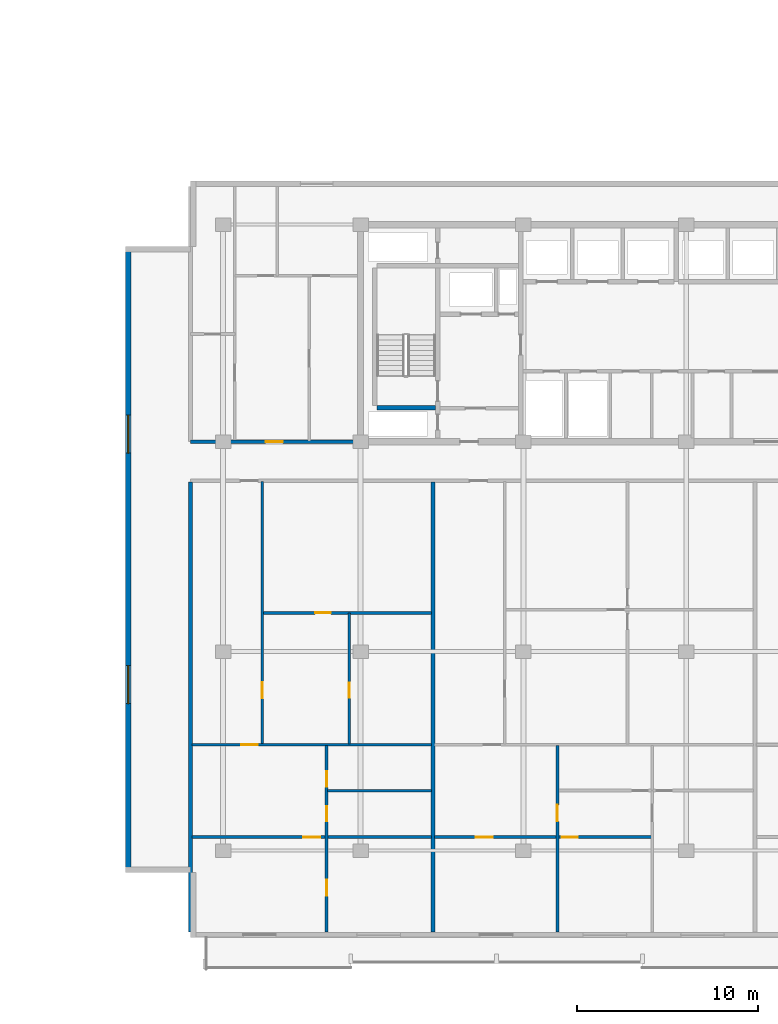
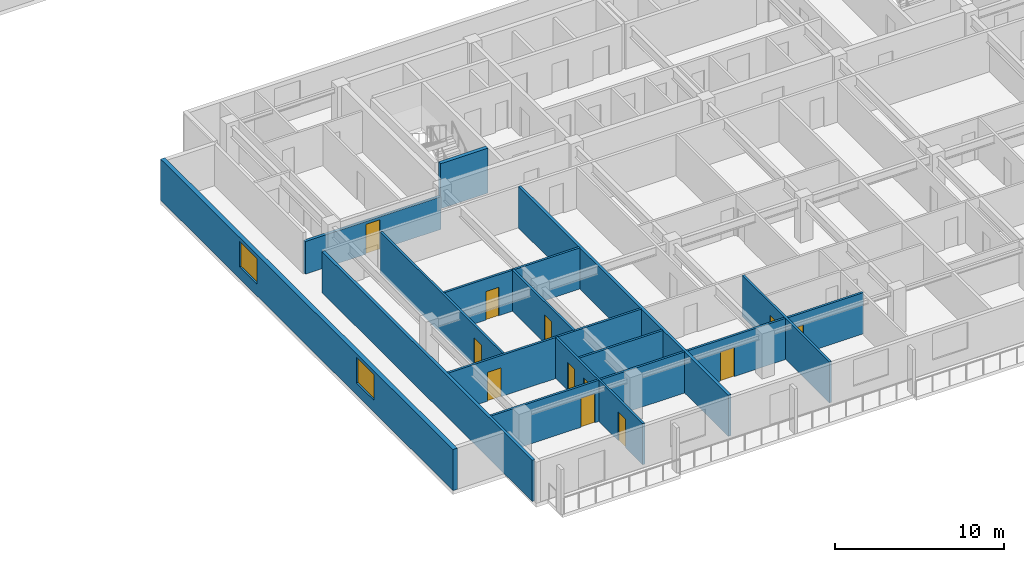
# One storey, part 4 of 22: 14 walls, 12 doors, 2 windows, 14 openings.
"""IFC4 building model written with IfcOpenShell, lengths in metres."""

import ifcopenshell
import ifcopenshell.guid

model = None  # the IFC model being written
_history = None  # IfcOwnerHistory: only IFC2X3 demands one
_inside = {}  # id of a spatial element -> (the spatial element, [elements in it])
_under = {}  # id of a project, library or spatial element -> (it, [spatial elements below it])
_declared = {}  # id of a project -> (the project, [libraries it declares])
_typed = {}  # id of a type object -> (the type object, [elements of that type])
_made_of = {}  # id of a material, layer set ... -> (it, [elements and type objects made of it])


def new_model(schema):
    """Start an empty IFC model of exactly this schema.

    Asked for "IFC4X3", IfcOpenShell would pick the latest addendum, in which some entities
    have other attributes; the version numbers below select the first issue.
    IFC2X3 requires an IfcOwnerHistory on every rooted entity: one is made here for all.
    """
    global model, _history
    if schema == "IFC4X3":
        model = ifcopenshell.file(schema_version=(4, 3, 0, 0))
    else:
        model = ifcopenshell.file(schema=schema)
    _inside.clear()
    _under.clear()
    _declared.clear()
    _typed.clear()
    _made_of.clear()
    _history = None
    if model.schema == "IFC2X3":
        org = make("IfcOrganization", Name="unknown")
        user = make(
            "IfcPersonAndOrganization",
            ThePerson=make("IfcPerson", FamilyName="unknown"),
            TheOrganization=org,
        )
        app = make(
            "IfcApplication",
            ApplicationDeveloper=org,
            Version="unknown",
            ApplicationFullName="unknown",
            ApplicationIdentifier="unknown",
        )
        _history = make(
            "IfcOwnerHistory",
            OwningUser=user,
            OwningApplication=app,
            ChangeAction="ADDED",
            CreationDate=0,
        )
    return model


def make(cls, **values):
    """One entity of the class cls with the attributes given. An attribute that is None is left unset."""
    return model.create_entity(
        cls, **{name: value for name, value in values.items() if value is not None}
    )


def rooted(cls, **values):
    """An entity with a GlobalId (a new one), such as an element, a storey or a relation."""
    return make(cls, GlobalId=ifcopenshell.guid.new(), OwnerHistory=_history, **values)


def si_unit(unit_type, name, prefix=None):
    """IfcSIUnit, for example si_unit("LENGTHUNIT", "METRE", prefix="MILLI")."""
    return make("IfcSIUnit", UnitType=unit_type, Prefix=prefix, Name=name)


def assignment(units):
    """IfcUnitAssignment: the units of a project."""
    return None if units is None else make("IfcUnitAssignment", Units=units)


def point(xyz):
    """IfcCartesianPoint."""
    return None if xyz is None else make("IfcCartesianPoint", Coordinates=xyz)


def direction(xyz):
    """IfcDirection."""
    return None if xyz is None else make("IfcDirection", DirectionRatios=xyz)


def frame(location, z_axis=None, x_axis=None):
    """IfcAxis2Placement3D, a coordinate frame: its origin and axes. An axis left out is left unset."""
    return make(
        "IfcAxis2Placement3D",
        Location=point(location),
        Axis=direction(z_axis),
        RefDirection=direction(x_axis),
    )


def frame_2d(location, x_axis=None):
    """IfcAxis2Placement2D, a coordinate frame in the plane: its origin and x axis."""
    return make(
        "IfcAxis2Placement2D", Location=point(location), RefDirection=direction(x_axis)
    )


def origin():
    """The frame at (0, 0, 0) with its axes left unset."""
    return frame((0.0, 0.0, 0.0))


def place(relative_to, where):
    """IfcLocalPlacement: puts the frame where relative to a parent placement (None: the world)."""
    return make(
        "IfcLocalPlacement", PlacementRelTo=relative_to, RelativePlacement=where
    )


def context(
    kind, dimensions, precision=None, world=None, true_north=None, identifier=None
):
    """IfcGeometricRepresentationContext, for example the 3D "Model" context."""
    return make(
        "IfcGeometricRepresentationContext",
        ContextIdentifier=identifier,
        ContextType=kind,
        CoordinateSpaceDimension=dimensions,
        Precision=precision,
        WorldCoordinateSystem=world,
        TrueNorth=true_north,
    )


def subcontext(parent, identifier, kind, view, scale=None):
    """IfcGeometricRepresentationSubContext, for example "Body" below "Model"."""
    return make(
        "IfcGeometricRepresentationSubContext",
        ContextIdentifier=identifier,
        ContextType=kind,
        ParentContext=parent,
        TargetScale=scale,
        TargetView=view,
    )


def project(units=None, contexts=None):
    """IfcProject with its units and contexts."""
    return rooted(
        "IfcProject",
        Name="project",
        RepresentationContexts=contexts,
        UnitsInContext=assignment(units),
    )


def spatial(cls, under=None, at=None, **own):
    """A site, building, storey or space (cls), placed at a placement, below another one or the project."""
    s = rooted(cls, ObjectPlacement=at, **own)
    if under is not None:
        _under.setdefault(under.id(), (under, []))[1].append(s)
    return s


def profile(cls, at=None, kind="AREA", **sizes):
    """A parametric profile (cls). Its sizes go by their IFC names, for example OverallWidth=200.0."""
    return make(cls, ProfileType=kind, Position=at, **sizes)


def rectangle(**sizes):
    """IfcRectangleProfileDef."""
    return profile("IfcRectangleProfileDef", **sizes)


def extrude(swept, where, along, depth):
    """IfcExtrudedAreaSolid: the profile swept, set in the frame where, extruded along a direction by depth."""
    return make(
        "IfcExtrudedAreaSolid",
        SweptArea=swept,
        Position=where,
        ExtrudedDirection=direction(along),
        Depth=depth,
    )


def shape(context_of_items, identifier, shape_type, items):
    """IfcShapeRepresentation: the items that make up one representation, for example the "Body"."""
    return make(
        "IfcShapeRepresentation",
        ContextOfItems=context_of_items,
        RepresentationIdentifier=identifier,
        RepresentationType=shape_type,
        Items=items,
    )


def material(Name=None, Category=None):
    """IfcMaterial."""
    return make("IfcMaterial", Name=Name, Category=Category)


def layer(
    of_material, thickness, ventilated=None, Name=None, Category=None, Priority=None
):
    """IfcMaterialLayer: one layer of a wall or slab, of a material (None: an air gap)."""
    return make(
        "IfcMaterialLayer",
        Material=of_material,
        LayerThickness=thickness,
        IsVentilated=ventilated,
        Name=Name,
        Category=Category,
        Priority=Priority,
    )


def layer_set(layers, Name=None):
    """IfcMaterialLayerSet."""
    return make("IfcMaterialLayerSet", MaterialLayers=layers, LayerSetName=Name)


def made_of(thing, what):
    """Note that an element or type object is made of a material, layer set ...; save() writes the relation."""
    if what is not None:
        _made_of.setdefault(what.id(), (what, []))[1].append(thing)
    return thing


def type_object(cls, material=None, **own):
    """A type object (cls), such as IfcWallType, which elements share."""
    return made_of(rooted(cls, **own), material)


def element(
    cls,
    number,
    at=None,
    inside=None,
    cuts=None,
    type_object=None,
    material=None,
    context=None,
    identifier="Body",
    shape_type=None,
    held_by="IfcProductDefinitionShape",
    body=None,
    shapes=None,
    **own,
):
    """One element of the class cls, such as IfcWall. Its Tag is "e" and its number.

    at: its placement. inside: the storey or other place that contains it. cuts: it is an
    opening in that element (IfcRelVoidsElement). A single representation is given by context,
    identifier, shape_type and body (its items); several are given by shapes. held_by: the class
    of the entity that holds the representations. save() writes the other relations.
    """
    e = rooted(cls, Tag="e%d" % number, ObjectPlacement=at, **own)
    if body is not None:
        shapes = [shape(context, identifier, shape_type, body)]
    if shapes is not None:
        e.Representation = make(held_by, Representations=shapes)
    if inside is not None:
        _inside.setdefault(inside.id(), (inside, []))[1].append(e)
    if cuts is not None:
        rooted(
            "IfcRelVoidsElement", RelatingBuildingElement=cuts, RelatedOpeningElement=e
        )
    if type_object is not None:
        _typed.setdefault(type_object.id(), (type_object, []))[1].append(e)
    return made_of(e, material)


def fill(opening, filler):
    """IfcRelFillsElement: the door or window that sits in an opening."""
    return rooted(
        "IfcRelFillsElement",
        RelatingOpeningElement=opening,
        RelatedBuildingElement=filler,
    )


def aggregate(whole, parts):
    """IfcRelAggregates: a whole, such as a stair, and the parts it consists of."""
    return rooted("IfcRelAggregates", RelatingObject=whole, RelatedObjects=parts)


def save(model, path):
    """Write the relations noted so far, then the file.

    IfcRelAggregates (storeys below a building ...), IfcRelContainedInSpatialStructure (elements
    in a storey), IfcRelDefinesByType, IfcRelAssociatesMaterial and IfcRelDeclares: one each for
    every whole, place, type object, material and project.
    """
    for whole, parts in _under.values():
        aggregate(whole, parts)
    for where, things in _inside.values():
        rooted(
            "IfcRelContainedInSpatialStructure",
            RelatedElements=things,
            RelatingStructure=where,
        )
    for kind, things in _typed.values():
        rooted("IfcRelDefinesByType", RelatedObjects=things, RelatingType=kind)
    for what, things in _made_of.values():
        rooted("IfcRelAssociatesMaterial", RelatedObjects=things, RelatingMaterial=what)
    for by, libraries in _declared.values():
        rooted("IfcRelDeclares", RelatingContext=by, RelatedDefinitions=libraries)
    model.write(path)


model = new_model("IFC4")

# Units and contexts
model_context = context("Model", 3, precision=1e-05, world=origin(), true_north=direction((0.0, 1.0)))
body_context = subcontext(model_context, "Body", "Model", "MODEL_VIEW")
ifc_project = project(units=[si_unit("LENGTHUNIT", "METRE"), si_unit("AREAUNIT", "SQUARE_METRE"), si_unit("VOLUMEUNIT", "CUBIC_METRE"), si_unit("PLANEANGLEUNIT", "RADIAN"), si_unit("MASSUNIT", "GRAM", prefix="KILO")], contexts=[model_context])

# Site, building, storey
site_placement = place(None, origin())
site = spatial("IfcSite", under=ifc_project, at=site_placement, CompositionType="ELEMENT")
building_placement = place(site_placement, origin())
building = spatial("IfcBuilding", under=site, at=building_placement, Name="Korimba Cascade Residences", CompositionType="ELEMENT")
storey_placement = place(building_placement, frame((0.0, 0.0, 87.300048828125)))
storey = spatial("IfcBuildingStorey", under=building, at=storey_placement, Name="L24", CompositionType="ELEMENT", Elevation=87.300048828125)

# Wall, openings, windows
ifc_material_1 = material(Name="Precast concrete C40/50", Category="concrete")
ifc_layer_1 = layer(ifc_material_1, 0.300048828125)
ifc_layer_set_1 = layer_set([ifc_layer_1], Name="Precast concrete C40/50")
wall_type_1 = type_object("IfcWallType", Name="EW-STONE-300", PredefinedType="STANDARD", material=ifc_layer_set_1)
wall_1_placement = place(storey_placement, frame((69.25, 29.199951171875, 0.0), z_axis=(0.0, 0.0, 1.0), x_axis=(0.0, -1.0, 0.0)))
wall_1 = element("IfcWall", 1, at=wall_1_placement, inside=storey, type_object=wall_type_1, Name="L24 T2 Perimeter Stone Wall E09", PredefinedType="STANDARD", context=body_context, shape_type="SweptSolid", body=[
    extrude(rectangle(XDim=34.599853515625, YDim=0.300048828125, at=frame_2d((17.2998046875, 0.0))), origin(), (0.0, 0.0, 1.0), 2.969970703125),
])
opening_1_placement = place(wall_1_placement, frame((9.330078125, 0.0, 0.85009765625)))
opening_1 = element("IfcOpeningElement", 2, at=opening_1_placement, cuts=wall_1, Name="Opening W-03", PredefinedType="OPENING", context=body_context, shape_type="SweptSolid", body=[
    extrude(rectangle(XDim=2.10009765625, YDim=1.85009765625, at=frame_2d((1.050048828125, 0.925048828125))), frame((0.0, 0.16015625, 0.0), z_axis=(0.0, -1.0, 0.0), x_axis=(1.0, 0.0, 0.0)), (0.0, 0.0, 1.0), 0.320068359375),
])
opening_2_placement = place(wall_1_placement, frame((23.169921875, 0.0, 0.85009765625)))
opening_2 = element("IfcOpeningElement", 3, at=opening_2_placement, cuts=wall_1, Name="Opening W-03", PredefinedType="OPENING", context=body_context, shape_type="SweptSolid", body=[
    extrude(rectangle(XDim=2.10009765625, YDim=1.85009765625, at=frame_2d((1.050048828125, 0.925048828125))), frame((0.0, 0.16015625, 0.0), z_axis=(0.0, -1.0, 0.0), x_axis=(1.0, 0.0, 0.0)), (0.0, 0.0, 1.0), 0.320068359375),
])
ifc_material_2 = material(Name="Double-Glazed Aluminium Window", Category="aluminium")
window_type = type_object("IfcWindowType", Name="WIN-CRN-2100", PartitioningType="DOUBLE_PANEL_HORIZONTAL", PredefinedType="WINDOW", material=ifc_material_2)
window_1_placement = place(opening_1_placement, origin())
window_1 = element("IfcWindow", 4, at=window_1_placement, inside=storey, type_object=window_type, Name="L24 T2 End View Window 9.1", OverallHeight=1.85009765625, OverallWidth=2.10009765625, PartitioningType="DOUBLE_PANEL_HORIZONTAL", PredefinedType="WINDOW", context=body_context, shape_type="SweptSolid", body=[
    extrude(rectangle(XDim=2.10009765625, YDim=1.85009765625, at=frame_2d((1.050048828125, 0.925048828125))), frame((0.0, 0.030029296875, 0.0), z_axis=(0.0, -1.0, 0.0), x_axis=(1.0, 0.0, 0.0)), (0.0, 0.0, 1.0), 0.06005859375),
])
fill(opening_1, window_1)
window_2_placement = place(opening_2_placement, origin())
window_2 = element("IfcWindow", 5, at=window_2_placement, inside=storey, type_object=window_type, Name="L24 T2 End View Window 9.2", OverallHeight=1.85009765625, OverallWidth=2.10009765625, PartitioningType="DOUBLE_PANEL_HORIZONTAL", PredefinedType="WINDOW", context=body_context, shape_type="SweptSolid", body=[
    extrude(rectangle(XDim=2.10009765625, YDim=1.85009765625, at=frame_2d((1.050048828125, 0.925048828125))), frame((0.0, 0.030029296875, 0.0), z_axis=(0.0, -1.0, 0.0), x_axis=(1.0, 0.0, 0.0)), (0.0, 0.0, 1.0), 0.06005859375),
])
fill(opening_2, window_2)

# Wall, opening, door
ifc_layer_2 = layer(ifc_material_1, 0.199951171875)
ifc_layer_set_2 = layer_set([ifc_layer_2], Name="Precast concrete C40/50")
wall_type_2 = type_object("IfcWallType", Name="WAL-IT-200", PredefinedType="PARTITIONING", material=ifc_layer_set_2)
wall_2_placement = place(storey_placement, frame((72.699951171875, 18.39990234375, 0.0), z_axis=(0.0, 0.0, 1.0), x_axis=(1.0, 0.0, 0.0)))
wall_2 = element("IfcWall", 6, at=wall_2_placement, inside=storey, type_object=wall_type_2, Name="L24 Partition Wall WAL-L24-T2-FW-S", PredefinedType="PARTITIONING", context=body_context, shape_type="SweptSolid", body=[
    extrude(rectangle(XDim=9.25, YDim=0.199951171875, at=frame_2d((4.625, 0.0))), origin(), (0.0, 0.0, 1.0), 2.357666015625),
])
opening_3_placement = place(wall_2_placement, frame((4.14990234375, 0.0, 0.0)))
opening_3 = element("IfcOpeningElement", 7, at=opening_3_placement, cuts=wall_2, Name="Opening D-UN1", PredefinedType="OPENING", context=body_context, shape_type="SweptSolid", body=[
    extrude(rectangle(XDim=0.949951171875, YDim=2.14990234375, at=frame_2d((0.47509765625, 1.074951171875))), frame((0.0, 0.10986328125, 0.0), z_axis=(0.0, -1.0, 0.0), x_axis=(1.0, 0.0, 0.0)), (0.0, 0.0, 1.0), 0.219970703125),
])
ifc_material_3 = material(Name="Fire-Rated Hardwood Apartment Entrance Door", Category="wood")
door_type_1 = type_object("IfcDoorType", Name="DR-FD60-950", OperationType="NOTDEFINED", PredefinedType="DOOR", material=ifc_material_3)
door_1_placement = place(opening_3_placement, origin())
door_1 = element("IfcDoor", 8, at=door_1_placement, inside=storey, type_object=door_type_1, Name="L24-T2-FW Entrance Door", OperationType="SINGLE_SWING_RIGHT", OverallHeight=2.14990234375, OverallWidth=0.949951171875, PredefinedType="DOOR", context=body_context, shape_type="SweptSolid", body=[
    extrude(rectangle(XDim=0.949951171875, YDim=2.14990234375, at=frame_2d((0.47509765625, 1.074951171875))), frame((0.0, 0.02490234375, 0.0), z_axis=(0.0, -1.0, 0.0), x_axis=(1.0, 0.0, 0.0)), (0.0, 0.0, 1.0), 0.050048828125),
])
fill(opening_3, door_1)

# Walls
for number, where, z_axis, x_axis, name in (
    (9, (72.699951171875, -8.699951171875, 0.0), (0.0, 0.0, 1.0), (0.0, 1.0, 0.0), "L24 Partition Wall WAL-L24-T2-BNDWL"),
    (10, (86.10009765625, -8.699951171875, 0.0), (0.0, 0.0, 1.0), (0.0, 1.0, 0.0), "L24 Partition Wall WAL-L24-T2-DEM-1"),
):
    element("IfcWall", number, at=place(storey_placement, frame(where, z_axis=z_axis, x_axis=x_axis)), inside=storey, type_object=wall_type_2, Name=name, PredefinedType="PARTITIONING", context=body_context, shape_type="SweptSolid", body=[
        extrude(rectangle(XDim=24.869873046875, YDim=0.199951171875, at=frame_2d((12.43505859375, 0.0))), origin(), (0.0, 0.0, 1.0), 2.969970703125),
    ])

# Wall, opening, door
ifc_material_4 = material(Name="Insulated Acoustic Stud Partition", Category="gypsum")
ifc_layer_3 = layer(ifc_material_4, 0.14990234375)
ifc_layer_set_3 = layer_set([ifc_layer_3], Name="Insulated Acoustic Stud Partition")
wall_type_3 = type_object("IfcWallType", Name="WAL-PART-150", PredefinedType="PARTITIONING", material=ifc_layer_set_3)
wall_3_placement = place(storey_placement, frame((81.47509765625, 1.68994140625, 0.0), z_axis=(0.0, 0.0, 1.0), x_axis=(0.0, 1.0, 0.0)))
wall_3 = element("IfcWall", 11, at=wall_3_placement, inside=storey, type_object=wall_type_3, Name="L24 Partition Wall WAL-L24-T2-U01-FMV", PredefinedType="PARTITIONING", context=body_context, shape_type="SweptSolid", body=[
    extrude(rectangle(XDim=7.25, YDim=0.14990234375, at=frame_2d((3.625, 0.0))), origin(), (0.0, 0.0, 1.0), 2.969970703125),
])
opening_4_placement = place(wall_3_placement, frame((2.557861328125, 0.0, 0.0)))
opening_4 = element("IfcOpeningElement", 12, at=opening_4_placement, cuts=wall_3, Name="Opening D-BT1", PredefinedType="OPENING", context=body_context, shape_type="SweptSolid", body=[
    extrude(rectangle(XDim=0.840087890625, YDim=2.0400390625, at=frame_2d((0.419921875, 1.02001953125))), frame((0.0, 0.0849609375, 0.0), z_axis=(0.0, -1.0, 0.0), x_axis=(1.0, 0.0, 0.0)), (0.0, 0.0, 1.0), 0.169921875),
])
ifc_material_5 = material(Name="Moisture-Resistant Bathroom Timber Door", Category="wood")
door_type_2 = type_object("IfcDoorType", Name="DR-INT-850", OperationType="NOTDEFINED", PredefinedType="DOOR", material=ifc_material_5)
door_2_placement = place(opening_4_placement, origin())
door_2 = element("IfcDoor", 13, at=door_2_placement, inside=storey, type_object=door_type_2, Name="L24-T2-U01 Wardrobe Door", OperationType="SINGLE_SWING_LEFT", OverallHeight=2.0400390625, OverallWidth=0.840087890625, PredefinedType="DOOR", context=body_context, shape_type="SweptSolid", body=[
    extrude(rectangle(XDim=0.840087890625, YDim=2.0400390625, at=frame_2d((0.419921875, 1.02001953125))), frame((0.0, 0.02490234375, 0.0), z_axis=(0.0, -1.0, 0.0), x_axis=(1.0, 0.0, 0.0)), (0.0, 0.0, 1.0), 0.050048828125),
])
fill(opening_4, door_2)

wall_4_placement = place(storey_placement, frame((76.72998046875, 8.93994140625, 0.0), z_axis=(0.0, 0.0, 1.0), x_axis=(1.0, 0.0, 0.0)))
wall_4 = element("IfcWall", 14, at=wall_4_placement, inside=storey, type_object=wall_type_3, Name="L24 Partition Wall WAL-L24-T2-U01-FMH", PredefinedType="PARTITIONING", context=body_context, shape_type="SweptSolid", body=[
    extrude(rectangle(XDim=9.2900390625, YDim=0.14990234375, at=frame_2d((4.64501953125, 0.0))), origin(), (0.0, 0.0, 1.0), 2.969970703125),
])
opening_5_placement = place(wall_4_placement, frame((2.854248046875, 0.0, 0.0)))
opening_5 = element("IfcOpeningElement", 15, at=opening_5_placement, cuts=wall_4, Name="Opening D-IN2", PredefinedType="OPENING", context=body_context, shape_type="SweptSolid", body=[
    extrude(rectangle(XDim=0.8798828125, YDim=2.06005859375, at=frame_2d((0.43994140625, 1.030029296875))), frame((0.0, 0.0849609375, 0.0), z_axis=(0.0, -1.0, 0.0), x_axis=(1.0, 0.0, 0.0)), (0.0, 0.0, 1.0), 0.169921875),
])
ifc_material_6 = material(Name="Acoustic Timber Bedroom Door", Category="wood")
door_type_3 = type_object("IfcDoorType", Name="DR-INT-880", OperationType="NOTDEFINED", PredefinedType="DOOR", material=ifc_material_6)
door_3_placement = place(opening_5_placement, origin())
door_3 = element("IfcDoor", 16, at=door_3_placement, inside=storey, type_object=door_type_3, Name="L24-T2-U01 Library Salon Door", OperationType="SINGLE_SWING_RIGHT", OverallHeight=2.06005859375, OverallWidth=0.8798828125, PredefinedType="DOOR", context=body_context, shape_type="SweptSolid", body=[
    extrude(rectangle(XDim=0.8798828125, YDim=2.06005859375, at=frame_2d((0.43994140625, 1.030029296875))), frame((0.0, 0.02490234375, 0.0), z_axis=(0.0, -1.0, 0.0), x_axis=(1.0, 0.0, 0.0)), (0.0, 0.0, 1.0), 0.050048828125),
])
fill(opening_5, door_3)

wall_5_placement = place(storey_placement, frame((76.669921875, 1.68994140625, 0.0), z_axis=(0.0, 0.0, 1.0), x_axis=(0.0, 1.0, 0.0)))
wall_5 = element("IfcWall", 17, at=wall_5_placement, inside=storey, type_object=wall_type_3, Name="L24 Partition Wall WAL-L24-T2-U01-FV", PredefinedType="PARTITIONING", context=body_context, shape_type="SweptSolid", body=[
    extrude(rectangle(XDim=14.5, YDim=0.14990234375, at=frame_2d((7.25, 0.0))), origin(), (0.0, 0.0, 1.0), 2.969970703125),
])
opening_6_placement = place(wall_5_placement, frame((2.54248046875, 0.0, 0.0)))
opening_6 = element("IfcOpeningElement", 18, at=opening_6_placement, cuts=wall_5, Name="Opening D-IN2", PredefinedType="OPENING", context=body_context, shape_type="SweptSolid", body=[
    extrude(rectangle(XDim=0.8798828125, YDim=2.06005859375, at=frame_2d((0.43994140625, 1.030029296875))), frame((0.0, 0.0849609375, 0.0), z_axis=(0.0, -1.0, 0.0), x_axis=(1.0, 0.0, 0.0)), (0.0, 0.0, 1.0), 0.169921875),
])
door_4_placement = place(opening_6_placement, origin())
door_4 = element("IfcDoor", 19, at=door_4_placement, inside=storey, type_object=door_type_3, Name="L24-T2-U01 Media Lounge Door", OperationType="SINGLE_SWING_LEFT", OverallHeight=2.06005859375, OverallWidth=0.8798828125, PredefinedType="DOOR", context=body_context, shape_type="SweptSolid", body=[
    extrude(rectangle(XDim=0.8798828125, YDim=2.06005859375, at=frame_2d((0.43994140625, 1.030029296875))), frame((0.0, 0.02490234375, 0.0), z_axis=(0.0, -1.0, 0.0), x_axis=(1.0, 0.0, 0.0)), (0.0, 0.0, 1.0), 0.050048828125),
])
fill(opening_6, door_4)

# Wall
wall_6_placement = place(storey_placement, frame((80.280029296875, -0.889892578125, 0.0), z_axis=(0.0, 0.0, 1.0), x_axis=(1.0, 0.0, 0.0)))
element("IfcWall", 20, at=wall_6_placement, inside=storey, type_object=wall_type_3, Name="L24 Partition Wall WAL-L24-T2-U01-BLDIV", PredefinedType="PARTITIONING", context=body_context, shape_type="SweptSolid", body=[
    extrude(rectangle(XDim=5.739990234375, YDim=0.14990234375, at=frame_2d((2.8701171875, 0.0))), origin(), (0.0, 0.0, 1.0), 2.969970703125),
])

# Wall, openings, doors
wall_7_placement = place(storey_placement, frame((80.219970703125, -8.699951171875, 0.0), z_axis=(0.0, 0.0, 1.0), x_axis=(0.0, 1.0, 0.0)))
wall_7 = element("IfcWall", 21, at=wall_7_placement, inside=storey, type_object=wall_type_3, Name="L24 Partition Wall WAL-L24-T2-U01-V1", PredefinedType="PARTITIONING", context=body_context, shape_type="SweptSolid", body=[
    extrude(rectangle(XDim=10.31005859375, YDim=0.14990234375, at=frame_2d((5.155029296875, 0.0))), origin(), (0.0, 0.0, 1.0), 2.969970703125),
])
opening_7_placement = place(wall_7_placement, frame((6.120361328125, 0.0, 0.0)))
opening_7 = element("IfcOpeningElement", 22, at=opening_7_placement, cuts=wall_7, Name="Opening D-BT1", PredefinedType="OPENING", context=body_context, shape_type="SweptSolid", body=[
    extrude(rectangle(XDim=0.840087890625, YDim=2.0400390625, at=frame_2d((0.419921875, 1.02001953125))), frame((0.0, 0.0849609375, 0.0), z_axis=(0.0, -1.0, 0.0), x_axis=(1.0, 0.0, 0.0)), (0.0, 0.0, 1.0), 0.169921875),
])
opening_8_placement = place(wall_7_placement, frame((8.03955078125, 0.0, 0.0)))
opening_8 = element("IfcOpeningElement", 23, at=opening_8_placement, cuts=wall_7, Name="Opening D-BT1", PredefinedType="OPENING", context=body_context, shape_type="SweptSolid", body=[
    extrude(rectangle(XDim=0.840087890625, YDim=2.0400390625, at=frame_2d((0.419921875, 1.02001953125))), frame((0.0, 0.0849609375, 0.0), z_axis=(0.0, -1.0, 0.0), x_axis=(1.0, 0.0, 0.0)), (0.0, 0.0, 1.0), 0.169921875),
])
opening_9_placement = place(wall_7_placement, frame((2.001220703125, 0.0, 0.0)))
opening_9 = element("IfcOpeningElement", 24, at=opening_9_placement, cuts=wall_7, Name="Opening D-IN2", PredefinedType="OPENING", context=body_context, shape_type="SweptSolid", body=[
    extrude(rectangle(XDim=0.8798828125, YDim=2.06005859375, at=frame_2d((0.43994140625, 1.030029296875))), frame((0.0, 0.0849609375, 0.0), z_axis=(0.0, -1.0, 0.0), x_axis=(1.0, 0.0, 0.0)), (0.0, 0.0, 1.0), 0.169921875),
])
door_5_placement = place(opening_7_placement, origin())
door_5 = element("IfcDoor", 25, at=door_5_placement, inside=storey, type_object=door_type_2, Name="L24-T2-U01 Bathroom Door", OperationType="SINGLE_SWING_RIGHT", OverallHeight=2.0400390625, OverallWidth=0.840087890625, PredefinedType="DOOR", context=body_context, shape_type="SweptSolid", body=[
    extrude(rectangle(XDim=0.840087890625, YDim=2.0400390625, at=frame_2d((0.419921875, 1.02001953125))), frame((0.0, 0.02490234375, 0.0), z_axis=(0.0, -1.0, 0.0), x_axis=(1.0, 0.0, 0.0)), (0.0, 0.0, 1.0), 0.050048828125),
])
fill(opening_7, door_5)
door_6_placement = place(opening_8_placement, origin())
door_6 = element("IfcDoor", 26, at=door_6_placement, inside=storey, type_object=door_type_2, Name="L24-T2-U01 Laundry Door", OperationType="SINGLE_SWING_LEFT", OverallHeight=2.0400390625, OverallWidth=0.840087890625, PredefinedType="DOOR", context=body_context, shape_type="SweptSolid", body=[
    extrude(rectangle(XDim=0.840087890625, YDim=2.0400390625, at=frame_2d((0.419921875, 1.02001953125))), frame((0.0, 0.02490234375, 0.0), z_axis=(0.0, -1.0, 0.0), x_axis=(1.0, 0.0, 0.0)), (0.0, 0.0, 1.0), 0.050048828125),
])
fill(opening_8, door_6)
door_7_placement = place(opening_9_placement, origin())
door_7 = element("IfcDoor", 27, at=door_7_placement, inside=storey, type_object=door_type_3, Name="L24-T2-U01 Bedroom 1 Door", OperationType="SINGLE_SWING_RIGHT", OverallHeight=2.06005859375, OverallWidth=0.8798828125, PredefinedType="DOOR", context=body_context, shape_type="SweptSolid", body=[
    extrude(rectangle(XDim=0.8798828125, YDim=2.06005859375, at=frame_2d((0.43994140625, 1.030029296875))), frame((0.0, 0.02490234375, 0.0), z_axis=(0.0, -1.0, 0.0), x_axis=(1.0, 0.0, 0.0)), (0.0, 0.0, 1.0), 0.050048828125),
])
fill(opening_9, door_7)

# Wall, opening, door
wall_8_placement = place(storey_placement, frame((72.780029296875, 1.64990234375, 0.0), z_axis=(0.0, 0.0, 1.0), x_axis=(1.0, 0.0, 0.0)))
wall_8 = element("IfcWall", 28, at=wall_8_placement, inside=storey, type_object=wall_type_3, Name="L24 Partition Wall WAL-L24-T2-U01-MW", PredefinedType="PARTITIONING", context=body_context, shape_type="SweptSolid", body=[
    extrude(rectangle(XDim=13.239990234375, YDim=0.14990234375, at=frame_2d((6.6201171875, 0.0))), origin(), (0.0, 0.0, 1.0), 2.969970703125),
])
opening_10_placement = place(wall_8_placement, frame((2.719970703125, 0.0, 0.0)))
opening_10 = element("IfcOpeningElement", 29, at=opening_10_placement, cuts=wall_8, Name="Opening D-IN1", PredefinedType="OPENING", context=body_context, shape_type="SweptSolid", body=[
    extrude(rectangle(XDim=0.919921875, YDim=2.080078125, at=frame_2d((0.4599609375, 1.0400390625))), frame((0.0, 0.0849609375, 0.0), z_axis=(0.0, -1.0, 0.0), x_axis=(1.0, 0.0, 0.0)), (0.0, 0.0, 1.0), 0.169921875),
])
ifc_material_7 = material(Name="Acoustic Timber Living Door", Category="wood")
door_type_4 = type_object("IfcDoorType", Name="DR-INT-920", OperationType="NOTDEFINED", PredefinedType="DOOR", material=ifc_material_7)
door_8_placement = place(opening_10_placement, origin())
door_8 = element("IfcDoor", 30, at=door_8_placement, inside=storey, type_object=door_type_4, Name="L24-T2-U01 Kitchen Archway Door", OperationType="SINGLE_SWING_LEFT", OverallHeight=2.080078125, OverallWidth=0.919921875, PredefinedType="DOOR", context=body_context, shape_type="SweptSolid", body=[
    extrude(rectangle(XDim=0.919921875, YDim=2.080078125, at=frame_2d((0.4599609375, 1.0400390625))), frame((0.0, 0.02490234375, 0.0), z_axis=(0.0, -1.0, 0.0), x_axis=(1.0, 0.0, 0.0)), (0.0, 0.0, 1.0), 0.050048828125),
])
fill(opening_10, door_8)

wall_9_placement = place(storey_placement, frame((72.780029296875, -3.449951171875, 0.0), z_axis=(0.0, 0.0, 1.0), x_axis=(1.0, 0.0, 0.0)))
wall_9 = element("IfcWall", 31, at=wall_9_placement, inside=storey, type_object=wall_type_3, Name="L24 Partition Wall WAL-L24-T2-U01-HZ", PredefinedType="PARTITIONING", context=body_context, shape_type="SweptSolid", body=[
    extrude(rectangle(XDim=13.239990234375, YDim=0.14990234375, at=frame_2d((6.6201171875, 0.0))), origin(), (0.0, 0.0, 1.0), 2.969970703125),
])
opening_11_placement = place(wall_9_placement, frame((6.14990234375, 0.0, 0.0)))
opening_11 = element("IfcOpeningElement", 32, at=opening_11_placement, cuts=wall_9, Name="Opening D-IN0", PredefinedType="OPENING", context=body_context, shape_type="SweptSolid", body=[
    extrude(rectangle(XDim=0.93994140625, YDim=2.10009765625, at=frame_2d((0.469970703125, 1.050048828125))), frame((0.0, 0.0849609375, 0.0), z_axis=(0.0, -1.0, 0.0), x_axis=(1.0, 0.0, 0.0)), (0.0, 0.0, 1.0), 0.169921875),
])
ifc_material_8 = material(Name="Acoustic Timber Living Archway Door", Category="wood")
door_type_5 = type_object("IfcDoorType", Name="DR-INT-950", OperationType="NOTDEFINED", PredefinedType="DOOR", material=ifc_material_8)
door_9_placement = place(opening_11_placement, origin())
door_9 = element("IfcDoor", 33, at=door_9_placement, inside=storey, type_object=door_type_5, Name="L24-T2-U01 Living Archway Door", OperationType="SINGLE_SWING_RIGHT", OverallHeight=2.10009765625, OverallWidth=0.93994140625, PredefinedType="DOOR", context=body_context, shape_type="SweptSolid", body=[
    extrude(rectangle(XDim=0.93994140625, YDim=2.10009765625, at=frame_2d((0.469970703125, 1.050048828125))), frame((0.0, 0.02490234375, 0.0), z_axis=(0.0, -1.0, 0.0), x_axis=(1.0, 0.0, 0.0)), (0.0, 0.0, 1.0), 0.050048828125),
])
fill(opening_11, door_9)

wall_10_placement = place(storey_placement, frame((92.97998046875, -8.699951171875, 0.0), z_axis=(0.0, 0.0, 1.0), x_axis=(0.0, 1.0, 0.0)))
wall_10 = element("IfcWall", 34, at=wall_10_placement, inside=storey, type_object=wall_type_3, Name="L24 Partition Wall WAL-L24-T2-U02-V1", PredefinedType="PARTITIONING", context=body_context, shape_type="SweptSolid", body=[
    extrude(rectangle(XDim=10.31005859375, YDim=0.14990234375, at=frame_2d((5.155029296875, 0.0))), origin(), (0.0, 0.0, 1.0), 2.969970703125),
])
opening_12_placement = place(wall_10_placement, frame((6.115966796875, 0.0, 0.0)))
opening_12 = element("IfcOpeningElement", 35, at=opening_12_placement, cuts=wall_10, Name="Opening D-IN1", PredefinedType="OPENING", context=body_context, shape_type="SweptSolid", body=[
    extrude(rectangle(XDim=0.919921875, YDim=2.080078125, at=frame_2d((0.4599609375, 1.0400390625))), frame((0.0, 0.0849609375, 0.0), z_axis=(0.0, -1.0, 0.0), x_axis=(1.0, 0.0, 0.0)), (0.0, 0.0, 1.0), 0.169921875),
])
door_10_placement = place(opening_12_placement, origin())
door_10 = element("IfcDoor", 36, at=door_10_placement, inside=storey, type_object=door_type_4, Name="L24-T2-U02 Hallway Door", OperationType="SINGLE_SWING_LEFT", OverallHeight=2.080078125, OverallWidth=0.919921875, PredefinedType="DOOR", context=body_context, shape_type="SweptSolid", body=[
    extrude(rectangle(XDim=0.919921875, YDim=2.080078125, at=frame_2d((0.4599609375, 1.0400390625))), frame((0.0, 0.02490234375, 0.0), z_axis=(0.0, -1.0, 0.0), x_axis=(1.0, 0.0, 0.0)), (0.0, 0.0, 1.0), 0.050048828125),
])
fill(opening_12, door_10)

# Wall, openings, doors
wall_11_placement = place(storey_placement, frame((86.179931640625, -3.449951171875, 0.0), z_axis=(0.0, 0.0, 1.0), x_axis=(1.0, 0.0, 0.0)))
wall_11 = element("IfcWall", 37, at=wall_11_placement, inside=storey, type_object=wall_type_3, Name="L24 Partition Wall WAL-L24-T2-U02-HZ", PredefinedType="PARTITIONING", context=body_context, shape_type="SweptSolid", body=[
    extrude(rectangle(XDim=12.0400390625, YDim=0.14990234375, at=frame_2d((6.02001953125, 0.0))), origin(), (0.0, 0.0, 1.0), 2.969970703125),
])
opening_13_placement = place(wall_11_placement, frame((2.286865234375, 0.0, 0.0)))
opening_13 = element("IfcOpeningElement", 38, at=opening_13_placement, cuts=wall_11, Name="Opening D-IN0", PredefinedType="OPENING", context=body_context, shape_type="SweptSolid", body=[
    extrude(rectangle(XDim=0.93994140625, YDim=2.10009765625, at=frame_2d((0.469970703125, 1.050048828125))), frame((0.0, 0.0849609375, 0.0), z_axis=(0.0, -1.0, 0.0), x_axis=(1.0, 0.0, 0.0)), (0.0, 0.0, 1.0), 0.169921875),
])
opening_14_placement = place(wall_11_placement, frame((7.050048828125, 0.0, 0.0)))
opening_14 = element("IfcOpeningElement", 39, at=opening_14_placement, cuts=wall_11, Name="Opening D-IN2", PredefinedType="OPENING", context=body_context, shape_type="SweptSolid", body=[
    extrude(rectangle(XDim=0.8798828125, YDim=2.06005859375, at=frame_2d((0.43994140625, 1.030029296875))), frame((0.0, 0.0849609375, 0.0), z_axis=(0.0, -1.0, 0.0), x_axis=(1.0, 0.0, 0.0)), (0.0, 0.0, 1.0), 0.169921875),
])
door_11_placement = place(opening_14_placement, origin())
door_11 = element("IfcDoor", 40, at=door_11_placement, inside=storey, type_object=door_type_3, Name="L24-T2-U02 Bedroom 2 Door", OperationType="SINGLE_SWING_LEFT", OverallHeight=2.06005859375, OverallWidth=0.8798828125, PredefinedType="DOOR", context=body_context, shape_type="SweptSolid", body=[
    extrude(rectangle(XDim=0.8798828125, YDim=2.06005859375, at=frame_2d((0.43994140625, 1.030029296875))), frame((0.0, 0.02490234375, 0.0), z_axis=(0.0, -1.0, 0.0), x_axis=(1.0, 0.0, 0.0)), (0.0, 0.0, 1.0), 0.050048828125),
])
fill(opening_14, door_11)
door_12_placement = place(opening_13_placement, origin())
door_12 = element("IfcDoor", 41, at=door_12_placement, inside=storey, type_object=door_type_5, Name="L24-T2-U02 Living Room Door", OperationType="SINGLE_SWING_RIGHT", OverallHeight=2.10009765625, OverallWidth=0.93994140625, PredefinedType="DOOR", context=body_context, shape_type="SweptSolid", body=[
    extrude(rectangle(XDim=0.93994140625, YDim=2.10009765625, at=frame_2d((0.469970703125, 1.050048828125))), frame((0.0, 0.02490234375, 0.0), z_axis=(0.0, -1.0, 0.0), x_axis=(1.0, 0.0, 0.0)), (0.0, 0.0, 1.0), 0.050048828125),
])
fill(opening_13, door_12)

# Wall
ifc_material_9 = material(Name="Concrete C50/60", Category="concrete")
ifc_layer_4 = layer(ifc_material_9, 0.25)
ifc_layer_set_4 = layer_set([ifc_layer_4], Name="Concrete C50/60")
wall_type_4 = type_object("IfcWallType", Name="WAL-SHAFT-250", PredefinedType="SHEAR", material=ifc_layer_set_4)
wall_12_placement = place(storey_placement, frame((83.0, 20.27490234375, 0.0), z_axis=(0.0, 0.0, 1.0), x_axis=(1.0, 0.0, 0.0)))
element("IfcWall", 42, at=wall_12_placement, inside=storey, type_object=wall_type_4, Name="L24 Core Shear Wall CW-L24-T2-STE1S", PredefinedType="SHEAR", context=body_context, shape_type="SweptSolid", body=[
    extrude(rectangle(XDim=3.239990234375, YDim=0.25, at=frame_2d((1.6201171875, 0.0))), origin(), (0.0, 0.0, 1.0), 3.25),
])

save(model, "model.ifc")
